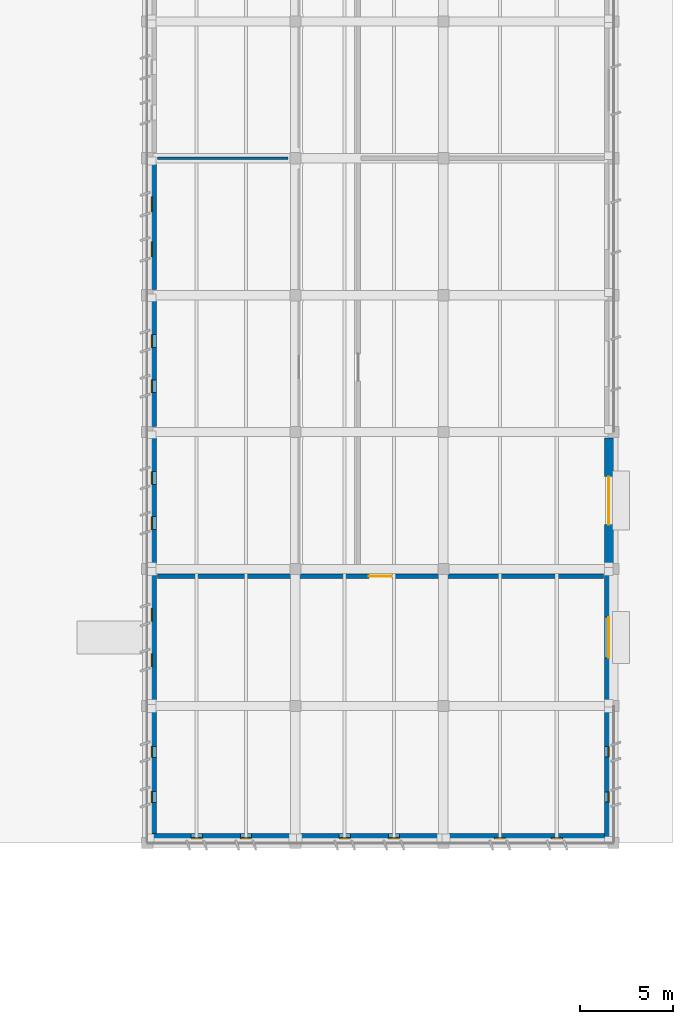
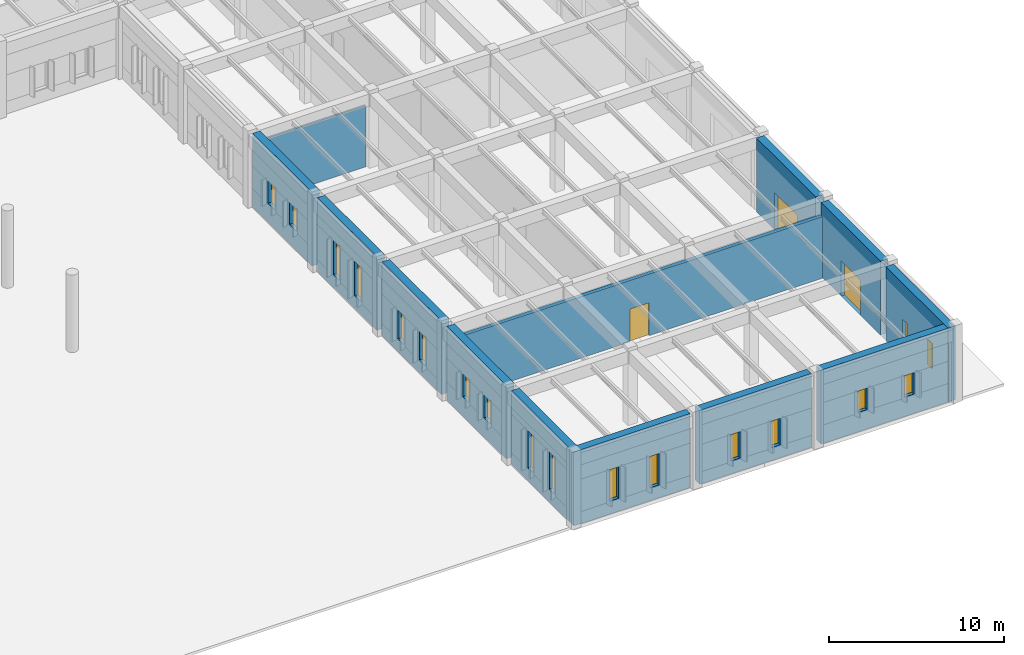
# One storey, part 28 of 56: 18 windows, 13 walls, 3 doors, 21 openings.
"""IFC4 building model written with IfcOpenShell, lengths in metres."""

from ifc_helpers import new_model, si_unit, direction, frame, frame_2d, origin, place, context, subcontext, project, spatial, rectangle, extrude, material, layer, layer_set, type_object, element, fill, save


model = new_model("IFC4")

# Units and contexts
model_context = context("Model", 3, precision=1e-05, world=origin(), true_north=direction((0.0, 1.0)))
body_context = subcontext(model_context, "Body", "Model", "MODEL_VIEW")
ifc_project = project(units=[si_unit("LENGTHUNIT", "METRE"), si_unit("AREAUNIT", "SQUARE_METRE"), si_unit("VOLUMEUNIT", "CUBIC_METRE"), si_unit("PLANEANGLEUNIT", "RADIAN"), si_unit("MASSUNIT", "GRAM", prefix="KILO")], contexts=[model_context])

# Site, building, storey
site_placement = place(None, origin())
site = spatial("IfcSite", under=ifc_project, at=site_placement, CompositionType="ELEMENT")
building_placement = place(site_placement, origin())
building = spatial("IfcBuilding", under=site, at=building_placement, Name="Valkorina Park Police Headquarters", CompositionType="ELEMENT")
storey_placement = place(building_placement, origin())
storey = spatial("IfcBuildingStorey", under=building, at=storey_placement, Name="L01", CompositionType="ELEMENT", Elevation=0.0)

# Wall, opening, door
ifc_material_1 = material(Name="Concrete C40/50", Category="concrete")
ifc_layer_1 = layer(ifc_material_1, 0.25)
ifc_layer_set_1 = layer_set([ifc_layer_1], Name="Concrete C40/50")
wall_type_1 = type_object("IfcWallType", Name="WL-CUST-250-REI120", PredefinedType="SOLIDWALL", material=ifc_layer_set_1)
wall_1_placement = place(storey_placement, frame((137.340087890625, 21.800048828125, 0.0), z_axis=(0.0, 0.0, 1.0), x_axis=(1.0, 0.0, 0.0)))
wall_1 = element("IfcWall", 1, at=wall_1_placement, inside=storey, type_object=wall_type_1, Name="L01 Interior Partition 0097 (L01-FOR-01)", PredefinedType="SOLIDWALL", context=body_context, shape_type="SweptSolid", body=[
    extrude(rectangle(XDim=24.119873046875, YDim=0.25, at=frame_2d((12.06005859375, 0.0))), origin(), (0.0, 0.0, 1.0), 4.284912109375),
])
opening_1_placement = place(wall_1_placement, frame((11.43505859375, 0.0, 0.0)))
opening_1 = element("IfcOpeningElement", 2, at=opening_1_placement, cuts=wall_1, Name="Opening FD-06", PredefinedType="OPENING", context=body_context, shape_type="SweptSolid", body=[
    extrude(rectangle(XDim=1.25, YDim=2.300048828125, at=frame_2d((0.625, 1.14990234375))), frame((0.0, 0.135009765625, 0.0), z_axis=(0.0, -1.0, 0.0), x_axis=(1.0, 0.0, 0.0)), (0.0, 0.0, 1.0), 0.27001953125),
])
ifc_material_2 = material(Name="Galvanized steel door leaf", Category="steel")
ifc_layer_2 = layer(ifc_material_2, 0.050048828125)
ifc_layer_set_2 = layer_set([ifc_layer_2], Name="Galvanized steel door leaf")
door_type_1 = type_object("IfcDoorType", Name="DR-FIRE-LAB-1250x2300", OperationType="NOTDEFINED", PredefinedType="DOOR", material=ifc_layer_set_2)
door_1_placement = place(opening_1_placement, origin())
door_1 = element("IfcDoor", 3, at=door_1_placement, inside=storey, type_object=door_type_1, Name="Door D-L01-I045 (L01-FOR-01)", OperationType="SINGLE_SWING_RIGHT", OverallHeight=2.300048828125, OverallWidth=1.25, PredefinedType="DOOR", context=body_context, shape_type="SweptSolid", body=[
    extrude(rectangle(XDim=1.25, YDim=2.300048828125, at=frame_2d((0.625, 1.14990234375))), frame((0.0, 0.02490234375, 0.0), z_axis=(0.0, -1.0, 0.0), x_axis=(1.0, 0.0, 0.0)), (0.0, 0.0, 1.0), 0.050048828125),
])
fill(opening_1, door_1)

ifc_material_3 = material(Name="Precast concrete C40/50", Category="concrete")
ifc_layer_3 = layer(ifc_material_3, 0.5)
ifc_layer_set_3 = layer_set([ifc_layer_3], Name="Precast concrete C40/50")
wall_type_2 = type_object("IfcWallType", Name="WL-EXT-SPANDREL-500", PredefinedType="STANDARD", material=ifc_layer_set_3)
wall_2_placement = place(storey_placement, frame((161.75, 29.2900390625, 0.0), z_axis=(0.0, 0.0, 1.0), x_axis=(0.0, -1.0, 0.0)))
wall_2 = element("IfcWall", 4, at=wall_2_placement, inside=storey, type_object=wall_type_2, Name="L01 Architectural Concrete Exterior Wall 0063", PredefinedType="STANDARD", context=body_context, shape_type="SweptSolid", body=[
    extrude(rectangle(XDim=6.780029296875, YDim=0.5, at=frame_2d((3.39013671875, 0.0))), origin(), (0.0, 0.0, 1.0), 5.155029296875),
])
opening_2_placement = place(wall_2_placement, frame((2.090087890625, 0.0, 0.0)))
opening_2 = element("IfcOpeningElement", 5, at=opening_2_placement, cuts=wall_2, Name="Opening ED-07", PredefinedType="OPENING", context=body_context, shape_type="SweptSolid", body=[
    extrude(rectangle(XDim=2.60009765625, YDim=2.60009765625, at=frame_2d((1.300048828125, 1.300048828125))), frame((0.0, 0.260009765625, 0.0), z_axis=(0.0, -1.0, 0.0), x_axis=(1.0, 0.0, 0.0)), (0.0, 0.0, 1.0), 0.52001953125),
])
ifc_material_4 = material(Name="Thermally broken aluminium AW-6060", Category="aluminium")
ifc_layer_4 = layer(ifc_material_4, 0.050048828125)
ifc_layer_set_4 = layer_set([ifc_layer_4], Name="Thermally broken aluminium AW-6060")
door_type_2 = type_object("IfcDoorType", Name="DR-EXT-EXIT-2600x2600", OperationType="NOTDEFINED", PredefinedType="DOOR", material=ifc_layer_set_4)
door_2_placement = place(opening_2_placement, origin())
door_2 = element("IfcDoor", 6, at=door_2_placement, inside=storey, type_object=door_type_2, Name="Door D-L01-012 (Final Pedestrian Exit)", OperationType="DOUBLE_DOOR_SINGLE_SWING", OverallHeight=2.60009765625, OverallWidth=2.60009765625, PredefinedType="DOOR", context=body_context, shape_type="SweptSolid", body=[
    extrude(rectangle(XDim=2.60009765625, YDim=2.60009765625, at=frame_2d((1.300048828125, 1.300048828125))), frame((0.0, 0.02490234375, 0.0), z_axis=(0.0, -1.0, 0.0), x_axis=(1.0, 0.0, 0.0)), (0.0, 0.0, 1.0), 0.050048828125),
])
fill(opening_2, door_2)

wall_3_placement = place(storey_placement, frame((161.75, 21.889892578125, 0.0), z_axis=(0.0, 0.0, 1.0), x_axis=(0.0, -1.0, 0.0)))
wall_3 = element("IfcWall", 7, at=wall_3_placement, inside=storey, type_object=wall_type_2, Name="L01 Architectural Concrete Exterior Wall 0064", PredefinedType="STANDARD", context=body_context, shape_type="SweptSolid", body=[
    extrude(rectangle(XDim=6.77978515625, YDim=0.5, at=frame_2d((3.389892578125, 0.0))), origin(), (0.0, 0.0, 1.0), 5.155029296875),
])
opening_3_placement = place(wall_3_placement, frame((2.2900390625, 0.0, 0.0)))
opening_3 = element("IfcOpeningElement", 8, at=opening_3_placement, cuts=wall_3, Name="Opening ED-06", PredefinedType="OPENING", context=body_context, shape_type="SweptSolid", body=[
    extrude(rectangle(XDim=2.199951171875, YDim=2.449951171875, at=frame_2d((1.10009765625, 1.22509765625))), frame((0.0, 0.260009765625, 0.0), z_axis=(0.0, -1.0, 0.0), x_axis=(1.0, 0.0, 0.0)), (0.0, 0.0, 1.0), 0.52001953125),
])
ifc_layer_5 = layer(ifc_material_4, 0.050048828125)
ifc_layer_set_5 = layer_set([ifc_layer_5], Name="Thermally broken aluminium AW-6060")
door_type_3 = type_object("IfcDoorType", Name="DR-EXT-EXIT-2200x2450", OperationType="NOTDEFINED", PredefinedType="DOOR", material=ifc_layer_set_5)
door_3_placement = place(opening_3_placement, origin())
door_3 = element("IfcDoor", 9, at=door_3_placement, inside=storey, type_object=door_type_3, Name="Door D-L01-013 (Final Pedestrian Exit)", OperationType="DOUBLE_DOOR_SINGLE_SWING", OverallHeight=2.449951171875, OverallWidth=2.199951171875, PredefinedType="DOOR", context=body_context, shape_type="SweptSolid", body=[
    extrude(rectangle(XDim=2.199951171875, YDim=2.449951171875, at=frame_2d((1.10009765625, 1.22509765625))), frame((0.0, 0.02490234375, 0.0), z_axis=(0.0, -1.0, 0.0), x_axis=(1.0, 0.0, 0.0)), (0.0, 0.0, 1.0), 0.050048828125),
])
fill(opening_3, door_3)

# Wall, openings, windows
wall_4_placement = place(storey_placement, frame((161.75, 14.489990234375, 0.0), z_axis=(0.0, 0.0, 1.0), x_axis=(0.0, -1.0, 0.0)))
wall_4 = element("IfcWall", 10, at=wall_4_placement, inside=storey, type_object=wall_type_2, Name="L01 Architectural Concrete Exterior Wall 0065", PredefinedType="STANDARD", context=body_context, shape_type="SweptSolid", body=[
    extrude(rectangle(XDim=7.090087890625, YDim=0.5, at=frame_2d((3.544921875, 0.0))), origin(), (0.0, 0.0, 1.0), 5.155029296875),
])
opening_4_placement = place(wall_4_placement, frame((1.89453125, 0.0, 0.89990234375)))
opening_4 = element("IfcOpeningElement", 11, at=opening_4_placement, cuts=wall_4, Name="Opening WN-02", PredefinedType="OPENING", context=body_context, shape_type="SweptSolid", body=[
    extrude(rectangle(XDim=0.550048828125, YDim=1.75, at=frame_2d((0.27490234375, 0.875))), frame((0.0, 0.260009765625, 0.0), z_axis=(0.0, -1.0, 0.0), x_axis=(1.0, 0.0, 0.0)), (0.0, 0.0, 1.0), 0.52001953125),
])
opening_5_placement = place(wall_4_placement, frame((4.33544921875, 0.0, 0.89990234375)))
opening_5 = element("IfcOpeningElement", 12, at=opening_5_placement, cuts=wall_4, Name="Opening WN-02", PredefinedType="OPENING", context=body_context, shape_type="SweptSolid", body=[
    extrude(rectangle(XDim=0.550048828125, YDim=1.75, at=frame_2d((0.27490234375, 0.875))), frame((0.0, 0.260009765625, 0.0), z_axis=(0.0, -1.0, 0.0), x_axis=(1.0, 0.0, 0.0)), (0.0, 0.0, 1.0), 0.52001953125),
])
ifc_material_5 = material(Name="Triple low-E insulated glazing", Category="glass")
ifc_layer_6 = layer(ifc_material_5, 0.06005859375)
ifc_layer_set_6 = layer_set([ifc_layer_6], Name="Triple low-E insulated glazing")
window_type_1 = type_object("IfcWindowType", Name="WN-SLOT-550x1750", PartitioningType="SINGLE_PANEL", PredefinedType="WINDOW", material=ifc_layer_set_6)
window_1_placement = place(opening_4_placement, origin())
window_1 = element("IfcWindow", 13, at=window_1_placement, inside=storey, type_object=window_type_1, Name="Window L01-0097", OverallHeight=1.75, OverallWidth=0.550048828125, PartitioningType="SINGLE_PANEL", PredefinedType="WINDOW", context=body_context, shape_type="SweptSolid", body=[
    extrude(rectangle(XDim=0.550048828125, YDim=1.75, at=frame_2d((0.27490234375, 0.875))), frame((0.0, 0.030029296875, 0.0), z_axis=(0.0, -1.0, 0.0), x_axis=(1.0, 0.0, 0.0)), (0.0, 0.0, 1.0), 0.06005859375),
])
fill(opening_4, window_1)
window_2_placement = place(opening_5_placement, origin())
window_2 = element("IfcWindow", 14, at=window_2_placement, inside=storey, type_object=window_type_1, Name="Window L01-0098", OverallHeight=1.75, OverallWidth=0.550048828125, PartitioningType="SINGLE_PANEL", PredefinedType="WINDOW", context=body_context, shape_type="SweptSolid", body=[
    extrude(rectangle(XDim=0.550048828125, YDim=1.75, at=frame_2d((0.27490234375, 0.875))), frame((0.0, 0.030029296875, 0.0), z_axis=(0.0, -1.0, 0.0), x_axis=(1.0, 0.0, 0.0)), (0.0, 0.0, 1.0), 0.06005859375),
])
fill(opening_5, window_2)

wall_5_placement = place(storey_placement, frame((161.5, 7.64990234375, 0.0), z_axis=(0.0, 0.0, 1.0), x_axis=(-1.0, 0.0, 0.0)))
wall_5 = element("IfcWall", 15, at=wall_5_placement, inside=storey, type_object=wall_type_2, Name="L01 Architectural Concrete Exterior Wall 0066", PredefinedType="STANDARD", context=body_context, shape_type="SweptSolid", body=[
    extrude(rectangle(XDim=8.389892578125, YDim=0.5, at=frame_2d((4.19482421875, 0.0))), origin(), (0.0, 0.0, 1.0), 5.155029296875),
])
opening_6_placement = place(wall_5_placement, frame((2.255615234375, 0.0, 1.35009765625)))
opening_6 = element("IfcOpeningElement", 16, at=opening_6_placement, cuts=wall_5, Name="Opening WN-03", PredefinedType="OPENING", context=body_context, shape_type="SweptSolid", body=[
    extrude(rectangle(XDim=0.60009765625, YDim=1.5, at=frame_2d((0.300048828125, 0.75))), frame((0.0, 0.260009765625, 0.0), z_axis=(0.0, -1.0, 0.0), x_axis=(1.0, 0.0, 0.0)), (0.0, 0.0, 1.0), 0.52001953125),
])
opening_7_placement = place(wall_5_placement, frame((5.344482421875, 0.0, 1.35009765625)))
opening_7 = element("IfcOpeningElement", 17, at=opening_7_placement, cuts=wall_5, Name="Opening WN-03", PredefinedType="OPENING", context=body_context, shape_type="SweptSolid", body=[
    extrude(rectangle(XDim=0.60009765625, YDim=1.5, at=frame_2d((0.300048828125, 0.75))), frame((0.0, 0.260009765625, 0.0), z_axis=(0.0, -1.0, 0.0), x_axis=(1.0, 0.0, 0.0)), (0.0, 0.0, 1.0), 0.52001953125),
])
ifc_layer_7 = layer(ifc_material_5, 0.06005859375)
ifc_layer_set_7 = layer_set([ifc_layer_7], Name="Triple low-E insulated glazing")
window_type_2 = type_object("IfcWindowType", Name="WN-SLOT-600x1500", PartitioningType="SINGLE_PANEL", PredefinedType="WINDOW", material=ifc_layer_set_7)
window_3_placement = place(opening_6_placement, origin())
window_3 = element("IfcWindow", 18, at=window_3_placement, inside=storey, type_object=window_type_2, Name="Window L01-0099", OverallHeight=1.5, OverallWidth=0.60009765625, PartitioningType="SINGLE_PANEL", PredefinedType="WINDOW", context=body_context, shape_type="SweptSolid", body=[
    extrude(rectangle(XDim=0.60009765625, YDim=1.5, at=frame_2d((0.300048828125, 0.75))), frame((0.0, 0.030029296875, 0.0), z_axis=(0.0, -1.0, 0.0), x_axis=(1.0, 0.0, 0.0)), (0.0, 0.0, 1.0), 0.06005859375),
])
fill(opening_6, window_3)
window_4_placement = place(opening_7_placement, origin())
window_4 = element("IfcWindow", 19, at=window_4_placement, inside=storey, type_object=window_type_2, Name="Window L01-0100", OverallHeight=1.5, OverallWidth=0.60009765625, PartitioningType="SINGLE_PANEL", PredefinedType="WINDOW", context=body_context, shape_type="SweptSolid", body=[
    extrude(rectangle(XDim=0.60009765625, YDim=1.5, at=frame_2d((0.300048828125, 0.75))), frame((0.0, 0.030029296875, 0.0), z_axis=(0.0, -1.0, 0.0), x_axis=(1.0, 0.0, 0.0)), (0.0, 0.0, 1.0), 0.06005859375),
])
fill(opening_7, window_4)

wall_6_placement = place(storey_placement, frame((152.489990234375, 7.64990234375, 0.0), z_axis=(0.0, 0.0, 1.0), x_axis=(-1.0, 0.0, 0.0)))
wall_6 = element("IfcWall", 20, at=wall_6_placement, inside=storey, type_object=wall_type_2, Name="L01 Architectural Concrete Exterior Wall 0067", PredefinedType="STANDARD", context=body_context, shape_type="SweptSolid", body=[
    extrude(rectangle(XDim=7.3798828125, YDim=0.5, at=frame_2d((3.68994140625, 0.0))), origin(), (0.0, 0.0, 1.0), 5.155029296875),
])
opening_8_placement = place(wall_6_placement, frame((2.0615234375, 0.0, 0.89990234375)))
opening_8 = element("IfcOpeningElement", 21, at=opening_8_placement, cuts=wall_6, Name="Opening WN-04", PredefinedType="OPENING", context=body_context, shape_type="SweptSolid", body=[
    extrude(rectangle(XDim=0.60009765625, YDim=1.85009765625, at=frame_2d((0.300048828125, 0.925048828125))), frame((0.0, 0.260009765625, 0.0), z_axis=(0.0, -1.0, 0.0), x_axis=(1.0, 0.0, 0.0)), (0.0, 0.0, 1.0), 0.52001953125),
])
opening_9_placement = place(wall_6_placement, frame((4.718505859375, 0.0, 0.89990234375)))
opening_9 = element("IfcOpeningElement", 22, at=opening_9_placement, cuts=wall_6, Name="Opening WN-04", PredefinedType="OPENING", context=body_context, shape_type="SweptSolid", body=[
    extrude(rectangle(XDim=0.60009765625, YDim=1.85009765625, at=frame_2d((0.300048828125, 0.925048828125))), frame((0.0, 0.260009765625, 0.0), z_axis=(0.0, -1.0, 0.0), x_axis=(1.0, 0.0, 0.0)), (0.0, 0.0, 1.0), 0.52001953125),
])
ifc_layer_8 = layer(ifc_material_5, 0.06005859375)
ifc_layer_set_8 = layer_set([ifc_layer_8], Name="Triple low-E insulated glazing")
window_type_3 = type_object("IfcWindowType", Name="WN-SLOT-600x1850", PartitioningType="SINGLE_PANEL", PredefinedType="WINDOW", material=ifc_layer_set_8)
window_5_placement = place(opening_8_placement, origin())
window_5 = element("IfcWindow", 23, at=window_5_placement, inside=storey, type_object=window_type_3, Name="Window L01-0101", OverallHeight=1.85009765625, OverallWidth=0.60009765625, PartitioningType="SINGLE_PANEL", PredefinedType="WINDOW", context=body_context, shape_type="SweptSolid", body=[
    extrude(rectangle(XDim=0.60009765625, YDim=1.85009765625, at=frame_2d((0.300048828125, 0.925048828125))), frame((0.0, 0.030029296875, 0.0), z_axis=(0.0, -1.0, 0.0), x_axis=(1.0, 0.0, 0.0)), (0.0, 0.0, 1.0), 0.06005859375),
])
fill(opening_8, window_5)
window_6_placement = place(opening_9_placement, origin())
window_6 = element("IfcWindow", 24, at=window_6_placement, inside=storey, type_object=window_type_3, Name="Window L01-0102", OverallHeight=1.85009765625, OverallWidth=0.60009765625, PartitioningType="SINGLE_PANEL", PredefinedType="WINDOW", context=body_context, shape_type="SweptSolid", body=[
    extrude(rectangle(XDim=0.60009765625, YDim=1.85009765625, at=frame_2d((0.300048828125, 0.925048828125))), frame((0.0, 0.030029296875, 0.0), z_axis=(0.0, -1.0, 0.0), x_axis=(1.0, 0.0, 0.0)), (0.0, 0.0, 1.0), 0.06005859375),
])
fill(opening_9, window_6)

wall_7_placement = place(storey_placement, frame((144.489990234375, 7.64990234375, 0.0), z_axis=(0.0, 0.0, 1.0), x_axis=(-1.0, 0.0, 0.0)))
wall_7 = element("IfcWall", 25, at=wall_7_placement, inside=storey, type_object=wall_type_2, Name="L01 Architectural Concrete Exterior Wall 0068", PredefinedType="STANDARD", context=body_context, shape_type="SweptSolid", body=[
    extrude(rectangle(XDim=7.68994140625, YDim=0.5, at=frame_2d((3.844970703125, 0.0))), origin(), (0.0, 0.0, 1.0), 5.155029296875),
])
opening_10_placement = place(wall_7_placement, frame((2.0615234375, 0.0, 0.89990234375)))
opening_10 = element("IfcOpeningElement", 26, at=opening_10_placement, cuts=wall_7, Name="Opening WN-05", PredefinedType="OPENING", context=body_context, shape_type="SweptSolid", body=[
    extrude(rectangle(XDim=0.60009765625, YDim=2.199951171875, at=frame_2d((0.300048828125, 1.10009765625))), frame((0.0, 0.260009765625, 0.0), z_axis=(0.0, -1.0, 0.0), x_axis=(1.0, 0.0, 0.0)), (0.0, 0.0, 1.0), 0.52001953125),
])
opening_11_placement = place(wall_7_placement, frame((4.718505859375, 0.0, 0.89990234375)))
opening_11 = element("IfcOpeningElement", 27, at=opening_11_placement, cuts=wall_7, Name="Opening WN-05", PredefinedType="OPENING", context=body_context, shape_type="SweptSolid", body=[
    extrude(rectangle(XDim=0.60009765625, YDim=2.199951171875, at=frame_2d((0.300048828125, 1.10009765625))), frame((0.0, 0.260009765625, 0.0), z_axis=(0.0, -1.0, 0.0), x_axis=(1.0, 0.0, 0.0)), (0.0, 0.0, 1.0), 0.52001953125),
])
ifc_layer_9 = layer(ifc_material_5, 0.06005859375)
ifc_layer_set_9 = layer_set([ifc_layer_9], Name="Triple low-E insulated glazing")
window_type_4 = type_object("IfcWindowType", Name="WN-SLOT-600x2200", PartitioningType="SINGLE_PANEL", PredefinedType="WINDOW", material=ifc_layer_set_9)
window_7_placement = place(opening_10_placement, origin())
window_7 = element("IfcWindow", 28, at=window_7_placement, inside=storey, type_object=window_type_4, Name="Window L01-0103", OverallHeight=2.199951171875, OverallWidth=0.60009765625, PartitioningType="SINGLE_PANEL", PredefinedType="WINDOW", context=body_context, shape_type="SweptSolid", body=[
    extrude(rectangle(XDim=0.60009765625, YDim=2.199951171875, at=frame_2d((0.300048828125, 1.10009765625))), frame((0.0, 0.030029296875, 0.0), z_axis=(0.0, -1.0, 0.0), x_axis=(1.0, 0.0, 0.0)), (0.0, 0.0, 1.0), 0.06005859375),
])
fill(opening_10, window_7)
window_8_placement = place(opening_11_placement, origin())
window_8 = element("IfcWindow", 29, at=window_8_placement, inside=storey, type_object=window_type_4, Name="Window L01-0104", OverallHeight=2.199951171875, OverallWidth=0.60009765625, PartitioningType="SINGLE_PANEL", PredefinedType="WINDOW", context=body_context, shape_type="SweptSolid", body=[
    extrude(rectangle(XDim=0.60009765625, YDim=2.199951171875, at=frame_2d((0.300048828125, 1.10009765625))), frame((0.0, 0.030029296875, 0.0), z_axis=(0.0, -1.0, 0.0), x_axis=(1.0, 0.0, 0.0)), (0.0, 0.0, 1.0), 0.06005859375),
])
fill(opening_11, window_8)

wall_8_placement = place(storey_placement, frame((137.050048828125, 7.89990234375, 0.0), z_axis=(0.0, 0.0, 1.0), x_axis=(0.0, 1.0, 0.0)))
wall_8 = element("IfcWall", 30, at=wall_8_placement, inside=storey, type_object=wall_type_2, Name="L01 Architectural Concrete Exterior Wall 0069", PredefinedType="STANDARD", context=body_context, shape_type="SweptSolid", body=[
    extrude(rectangle(XDim=6.590087890625, YDim=0.5, at=frame_2d((3.294921875, 0.0))), origin(), (0.0, 0.0, 1.0), 5.155029296875),
])
opening_12_placement = place(wall_8_placement, frame((1.6796875, 0.0, 0.89990234375)))
opening_12 = element("IfcOpeningElement", 31, at=opening_12_placement, cuts=wall_8, Name="Opening WN-06", PredefinedType="OPENING", context=body_context, shape_type="SweptSolid", body=[
    extrude(rectangle(XDim=0.60009765625, YDim=2.60009765625, at=frame_2d((0.300048828125, 1.300048828125))), frame((0.0, 0.260009765625, 0.0), z_axis=(0.0, -1.0, 0.0), x_axis=(1.0, 0.0, 0.0)), (0.0, 0.0, 1.0), 0.52001953125),
])
opening_13_placement = place(wall_8_placement, frame((4.120361328125, 0.0, 0.89990234375)))
opening_13 = element("IfcOpeningElement", 32, at=opening_13_placement, cuts=wall_8, Name="Opening WN-06", PredefinedType="OPENING", context=body_context, shape_type="SweptSolid", body=[
    extrude(rectangle(XDim=0.60009765625, YDim=2.60009765625, at=frame_2d((0.300048828125, 1.300048828125))), frame((0.0, 0.260009765625, 0.0), z_axis=(0.0, -1.0, 0.0), x_axis=(1.0, 0.0, 0.0)), (0.0, 0.0, 1.0), 0.52001953125),
])
ifc_layer_10 = layer(ifc_material_5, 0.06005859375)
ifc_layer_set_10 = layer_set([ifc_layer_10], Name="Triple low-E insulated glazing")
window_type_5 = type_object("IfcWindowType", Name="WN-SLOT-600x2600", PartitioningType="SINGLE_PANEL", PredefinedType="WINDOW", material=ifc_layer_set_10)
window_9_placement = place(opening_12_placement, origin())
window_9 = element("IfcWindow", 33, at=window_9_placement, inside=storey, type_object=window_type_5, Name="Window L01-0105", OverallHeight=2.60009765625, OverallWidth=0.60009765625, PartitioningType="SINGLE_PANEL", PredefinedType="WINDOW", context=body_context, shape_type="SweptSolid", body=[
    extrude(rectangle(XDim=0.60009765625, YDim=2.60009765625, at=frame_2d((0.300048828125, 1.300048828125))), frame((0.0, 0.030029296875, 0.0), z_axis=(0.0, -1.0, 0.0), x_axis=(1.0, 0.0, 0.0)), (0.0, 0.0, 1.0), 0.06005859375),
])
fill(opening_12, window_9)
window_10_placement = place(opening_13_placement, origin())
window_10 = element("IfcWindow", 34, at=window_10_placement, inside=storey, type_object=window_type_5, Name="Window L01-0106", OverallHeight=2.60009765625, OverallWidth=0.60009765625, PartitioningType="SINGLE_PANEL", PredefinedType="WINDOW", context=body_context, shape_type="SweptSolid", body=[
    extrude(rectangle(XDim=0.60009765625, YDim=2.60009765625, at=frame_2d((0.300048828125, 1.300048828125))), frame((0.0, 0.030029296875, 0.0), z_axis=(0.0, -1.0, 0.0), x_axis=(1.0, 0.0, 0.0)), (0.0, 0.0, 1.0), 0.06005859375),
])
fill(opening_13, window_10)

wall_9_placement = place(storey_placement, frame((137.050048828125, 15.110107421875, 0.0), z_axis=(0.0, 0.0, 1.0), x_axis=(0.0, 1.0, 0.0)))
wall_9 = element("IfcWall", 35, at=wall_9_placement, inside=storey, type_object=wall_type_2, Name="L01 Architectural Concrete Exterior Wall 0070", PredefinedType="STANDARD", context=body_context, shape_type="SweptSolid", body=[
    extrude(rectangle(XDim=6.77978515625, YDim=0.5, at=frame_2d((3.389892578125, 0.0))), origin(), (0.0, 0.0, 1.0), 5.155029296875),
])
opening_14_placement = place(wall_9_placement, frame((1.819580078125, 0.0, 1.35009765625)))
opening_14 = element("IfcOpeningElement", 36, at=opening_14_placement, cuts=wall_9, Name="Opening WN-07", PredefinedType="OPENING", context=body_context, shape_type="SweptSolid", body=[
    extrude(rectangle(XDim=0.699951171875, YDim=1.60009765625, at=frame_2d((0.35009765625, 0.800048828125))), frame((0.0, 0.260009765625, 0.0), z_axis=(0.0, -1.0, 0.0), x_axis=(1.0, 0.0, 0.0)), (0.0, 0.0, 1.0), 0.52001953125),
])
opening_15_placement = place(wall_9_placement, frame((4.260498046875, 0.0, 1.35009765625)))
opening_15 = element("IfcOpeningElement", 37, at=opening_15_placement, cuts=wall_9, Name="Opening WN-07", PredefinedType="OPENING", context=body_context, shape_type="SweptSolid", body=[
    extrude(rectangle(XDim=0.699951171875, YDim=1.60009765625, at=frame_2d((0.35009765625, 0.800048828125))), frame((0.0, 0.260009765625, 0.0), z_axis=(0.0, -1.0, 0.0), x_axis=(1.0, 0.0, 0.0)), (0.0, 0.0, 1.0), 0.52001953125),
])
ifc_layer_11 = layer(ifc_material_5, 0.06005859375)
ifc_layer_set_11 = layer_set([ifc_layer_11], Name="Triple low-E insulated glazing")
window_type_6 = type_object("IfcWindowType", Name="WN-SLOT-700x1600", PartitioningType="SINGLE_PANEL", PredefinedType="WINDOW", material=ifc_layer_set_11)
window_11_placement = place(opening_14_placement, origin())
window_11 = element("IfcWindow", 38, at=window_11_placement, inside=storey, type_object=window_type_6, Name="Window L01-0107", OverallHeight=1.60009765625, OverallWidth=0.699951171875, PartitioningType="SINGLE_PANEL", PredefinedType="WINDOW", context=body_context, shape_type="SweptSolid", body=[
    extrude(rectangle(XDim=0.699951171875, YDim=1.60009765625, at=frame_2d((0.35009765625, 0.800048828125))), frame((0.0, 0.030029296875, 0.0), z_axis=(0.0, -1.0, 0.0), x_axis=(1.0, 0.0, 0.0)), (0.0, 0.0, 1.0), 0.06005859375),
])
fill(opening_14, window_11)
window_12_placement = place(opening_15_placement, origin())
window_12 = element("IfcWindow", 39, at=window_12_placement, inside=storey, type_object=window_type_6, Name="Window L01-0108", OverallHeight=1.60009765625, OverallWidth=0.699951171875, PartitioningType="SINGLE_PANEL", PredefinedType="WINDOW", context=body_context, shape_type="SweptSolid", body=[
    extrude(rectangle(XDim=0.699951171875, YDim=1.60009765625, at=frame_2d((0.35009765625, 0.800048828125))), frame((0.0, 0.030029296875, 0.0), z_axis=(0.0, -1.0, 0.0), x_axis=(1.0, 0.0, 0.0)), (0.0, 0.0, 1.0), 0.06005859375),
])
fill(opening_15, window_12)

wall_10_placement = place(storey_placement, frame((137.050048828125, 22.510009765625, 0.0), z_axis=(0.0, 0.0, 1.0), x_axis=(0.0, 1.0, 0.0)))
wall_10 = element("IfcWall", 40, at=wall_10_placement, inside=storey, type_object=wall_type_2, Name="L01 Architectural Concrete Exterior Wall 0071", PredefinedType="STANDARD", context=body_context, shape_type="SweptSolid", body=[
    extrude(rectangle(XDim=6.780029296875, YDim=0.5, at=frame_2d((3.39013671875, 0.0))), origin(), (0.0, 0.0, 1.0), 5.155029296875),
])
opening_16_placement = place(wall_10_placement, frame((1.819580078125, 0.0, 0.89990234375)))
opening_16 = element("IfcOpeningElement", 41, at=opening_16_placement, cuts=wall_10, Name="Opening WN-08", PredefinedType="OPENING", context=body_context, shape_type="SweptSolid", body=[
    extrude(rectangle(XDim=0.699951171875, YDim=2.0, at=frame_2d((0.35009765625, 1.0))), frame((0.0, 0.260009765625, 0.0), z_axis=(0.0, -1.0, 0.0), x_axis=(1.0, 0.0, 0.0)), (0.0, 0.0, 1.0), 0.52001953125),
])
opening_17_placement = place(wall_10_placement, frame((4.260498046875, 0.0, 0.89990234375)))
opening_17 = element("IfcOpeningElement", 42, at=opening_17_placement, cuts=wall_10, Name="Opening WN-08", PredefinedType="OPENING", context=body_context, shape_type="SweptSolid", body=[
    extrude(rectangle(XDim=0.699951171875, YDim=2.0, at=frame_2d((0.35009765625, 1.0))), frame((0.0, 0.260009765625, 0.0), z_axis=(0.0, -1.0, 0.0), x_axis=(1.0, 0.0, 0.0)), (0.0, 0.0, 1.0), 0.52001953125),
])
ifc_layer_12 = layer(ifc_material_5, 0.06005859375)
ifc_layer_set_12 = layer_set([ifc_layer_12], Name="Triple low-E insulated glazing")
window_type_7 = type_object("IfcWindowType", Name="WN-SLOT-700x2000", PartitioningType="SINGLE_PANEL", PredefinedType="WINDOW", material=ifc_layer_set_12)
window_13_placement = place(opening_16_placement, origin())
window_13 = element("IfcWindow", 43, at=window_13_placement, inside=storey, type_object=window_type_7, Name="Window L01-0109", OverallHeight=2.0, OverallWidth=0.699951171875, PartitioningType="SINGLE_PANEL", PredefinedType="WINDOW", context=body_context, shape_type="SweptSolid", body=[
    extrude(rectangle(XDim=0.699951171875, YDim=2.0, at=frame_2d((0.35009765625, 1.0))), frame((0.0, 0.030029296875, 0.0), z_axis=(0.0, -1.0, 0.0), x_axis=(1.0, 0.0, 0.0)), (0.0, 0.0, 1.0), 0.06005859375),
])
fill(opening_16, window_13)
window_14_placement = place(opening_17_placement, origin())
window_14 = element("IfcWindow", 44, at=window_14_placement, inside=storey, type_object=window_type_7, Name="Window L01-0110", OverallHeight=2.0, OverallWidth=0.699951171875, PartitioningType="SINGLE_PANEL", PredefinedType="WINDOW", context=body_context, shape_type="SweptSolid", body=[
    extrude(rectangle(XDim=0.699951171875, YDim=2.0, at=frame_2d((0.35009765625, 1.0))), frame((0.0, 0.030029296875, 0.0), z_axis=(0.0, -1.0, 0.0), x_axis=(1.0, 0.0, 0.0)), (0.0, 0.0, 1.0), 0.06005859375),
])
fill(opening_17, window_14)

wall_11_placement = place(storey_placement, frame((137.050048828125, 29.909912109375, 0.0), z_axis=(0.0, 0.0, 1.0), x_axis=(0.0, 1.0, 0.0)))
wall_11 = element("IfcWall", 45, at=wall_11_placement, inside=storey, type_object=wall_type_2, Name="L01 Architectural Concrete Exterior Wall 0072", PredefinedType="STANDARD", context=body_context, shape_type="SweptSolid", body=[
    extrude(rectangle(XDim=6.780029296875, YDim=0.5, at=frame_2d((3.39013671875, 0.0))), origin(), (0.0, 0.0, 1.0), 5.155029296875),
])
opening_18_placement = place(wall_11_placement, frame((1.819580078125, 0.0, 0.89990234375)))
opening_18 = element("IfcOpeningElement", 46, at=opening_18_placement, cuts=wall_11, Name="Opening WN-09", PredefinedType="OPENING", context=body_context, shape_type="SweptSolid", body=[
    extrude(rectangle(XDim=0.699951171875, YDim=2.39990234375, at=frame_2d((0.35009765625, 1.199951171875))), frame((0.0, 0.260009765625, 0.0), z_axis=(0.0, -1.0, 0.0), x_axis=(1.0, 0.0, 0.0)), (0.0, 0.0, 1.0), 0.52001953125),
])
opening_19_placement = place(wall_11_placement, frame((4.260498046875, 0.0, 0.89990234375)))
opening_19 = element("IfcOpeningElement", 47, at=opening_19_placement, cuts=wall_11, Name="Opening WN-09", PredefinedType="OPENING", context=body_context, shape_type="SweptSolid", body=[
    extrude(rectangle(XDim=0.699951171875, YDim=2.39990234375, at=frame_2d((0.35009765625, 1.199951171875))), frame((0.0, 0.260009765625, 0.0), z_axis=(0.0, -1.0, 0.0), x_axis=(1.0, 0.0, 0.0)), (0.0, 0.0, 1.0), 0.52001953125),
])
ifc_layer_13 = layer(ifc_material_5, 0.06005859375)
ifc_layer_set_13 = layer_set([ifc_layer_13], Name="Triple low-E insulated glazing")
window_type_8 = type_object("IfcWindowType", Name="WN-SLOT-700x2400", PartitioningType="SINGLE_PANEL", PredefinedType="WINDOW", material=ifc_layer_set_13)
window_15_placement = place(opening_18_placement, origin())
window_15 = element("IfcWindow", 48, at=window_15_placement, inside=storey, type_object=window_type_8, Name="Window L01-0111", OverallHeight=2.39990234375, OverallWidth=0.699951171875, PartitioningType="SINGLE_PANEL", PredefinedType="WINDOW", context=body_context, shape_type="SweptSolid", body=[
    extrude(rectangle(XDim=0.699951171875, YDim=2.39990234375, at=frame_2d((0.35009765625, 1.199951171875))), frame((0.0, 0.030029296875, 0.0), z_axis=(0.0, -1.0, 0.0), x_axis=(1.0, 0.0, 0.0)), (0.0, 0.0, 1.0), 0.06005859375),
])
fill(opening_18, window_15)
window_16_placement = place(opening_19_placement, origin())
window_16 = element("IfcWindow", 49, at=window_16_placement, inside=storey, type_object=window_type_8, Name="Window L01-0112", OverallHeight=2.39990234375, OverallWidth=0.699951171875, PartitioningType="SINGLE_PANEL", PredefinedType="WINDOW", context=body_context, shape_type="SweptSolid", body=[
    extrude(rectangle(XDim=0.699951171875, YDim=2.39990234375, at=frame_2d((0.35009765625, 1.199951171875))), frame((0.0, 0.030029296875, 0.0), z_axis=(0.0, -1.0, 0.0), x_axis=(1.0, 0.0, 0.0)), (0.0, 0.0, 1.0), 0.06005859375),
])
fill(opening_19, window_16)

wall_12_placement = place(storey_placement, frame((137.050048828125, 37.31005859375, 0.0), z_axis=(0.0, 0.0, 1.0), x_axis=(0.0, 1.0, 0.0)))
wall_12 = element("IfcWall", 50, at=wall_12_placement, inside=storey, type_object=wall_type_2, Name="L01 Architectural Concrete Exterior Wall 0073", PredefinedType="STANDARD", context=body_context, shape_type="SweptSolid", body=[
    extrude(rectangle(XDim=6.780029296875, YDim=0.5, at=frame_2d((3.39013671875, 0.0))), origin(), (0.0, 0.0, 1.0), 5.155029296875),
])
opening_20_placement = place(wall_12_placement, frame((1.76953125, 0.0, 1.35009765625)))
opening_20 = element("IfcOpeningElement", 51, at=opening_20_placement, cuts=wall_12, Name="Opening WN-10", PredefinedType="OPENING", context=body_context, shape_type="SweptSolid", body=[
    extrude(rectangle(XDim=0.800048828125, YDim=1.550048828125, at=frame_2d((0.39990234375, 0.77490234375))), frame((0.0, 0.260009765625, 0.0), z_axis=(0.0, -1.0, 0.0), x_axis=(1.0, 0.0, 0.0)), (0.0, 0.0, 1.0), 0.52001953125),
])
opening_21_placement = place(wall_12_placement, frame((4.21044921875, 0.0, 1.35009765625)))
opening_21 = element("IfcOpeningElement", 52, at=opening_21_placement, cuts=wall_12, Name="Opening WN-10", PredefinedType="OPENING", context=body_context, shape_type="SweptSolid", body=[
    extrude(rectangle(XDim=0.800048828125, YDim=1.550048828125, at=frame_2d((0.39990234375, 0.77490234375))), frame((0.0, 0.260009765625, 0.0), z_axis=(0.0, -1.0, 0.0), x_axis=(1.0, 0.0, 0.0)), (0.0, 0.0, 1.0), 0.52001953125),
])
ifc_layer_14 = layer(ifc_material_5, 0.06005859375)
ifc_layer_set_14 = layer_set([ifc_layer_14], Name="Triple low-E insulated glazing")
window_type_9 = type_object("IfcWindowType", Name="WN-SLOT-800x1550", PartitioningType="SINGLE_PANEL", PredefinedType="WINDOW", material=ifc_layer_set_14)
window_17_placement = place(opening_20_placement, origin())
window_17 = element("IfcWindow", 53, at=window_17_placement, inside=storey, type_object=window_type_9, Name="Window L01-0113", OverallHeight=1.550048828125, OverallWidth=0.800048828125, PartitioningType="SINGLE_PANEL", PredefinedType="WINDOW", context=body_context, shape_type="SweptSolid", body=[
    extrude(rectangle(XDim=0.800048828125, YDim=1.550048828125, at=frame_2d((0.39990234375, 0.77490234375))), frame((0.0, 0.030029296875, 0.0), z_axis=(0.0, -1.0, 0.0), x_axis=(1.0, 0.0, 0.0)), (0.0, 0.0, 1.0), 0.06005859375),
])
fill(opening_20, window_17)
window_18_placement = place(opening_21_placement, origin())
window_18 = element("IfcWindow", 54, at=window_18_placement, inside=storey, type_object=window_type_9, Name="Window L01-0114", OverallHeight=1.550048828125, OverallWidth=0.800048828125, PartitioningType="SINGLE_PANEL", PredefinedType="WINDOW", context=body_context, shape_type="SweptSolid", body=[
    extrude(rectangle(XDim=0.800048828125, YDim=1.550048828125, at=frame_2d((0.39990234375, 0.77490234375))), frame((0.0, 0.030029296875, 0.0), z_axis=(0.0, -1.0, 0.0), x_axis=(1.0, 0.0, 0.0)), (0.0, 0.0, 1.0), 0.06005859375),
])
fill(opening_21, window_18)

# Wall
ifc_material_6 = material(Name="Gypsum plasterboard")
ifc_layer_15 = layer(ifc_material_6, 0.125)
ifc_layer_set_15 = layer_set([ifc_layer_15], Name="Gypsum plasterboard")
wall_type_3 = type_object("IfcWallType", Name="WL-PART-125-EI30", PredefinedType="PARTITIONING", material=ifc_layer_set_15)
wall_13_placement = place(storey_placement, frame((137.340087890625, 44.39990234375, 0.0), z_axis=(0.0, 0.0, 1.0), x_axis=(1.0, 0.0, 0.0)))
element("IfcWall", 55, at=wall_13_placement, inside=storey, type_object=wall_type_3, Name="L01 Interior Partition 0098 (L01-FOR-02)", PredefinedType="PARTITIONING", context=body_context, shape_type="SweptSolid", body=[
    extrude(rectangle(XDim=7.06982421875, YDim=0.125, at=frame_2d((3.534912109375, 0.0))), origin(), (0.0, 0.0, 1.0), 4.284912109375),
])

save(model, "model.ifc")
